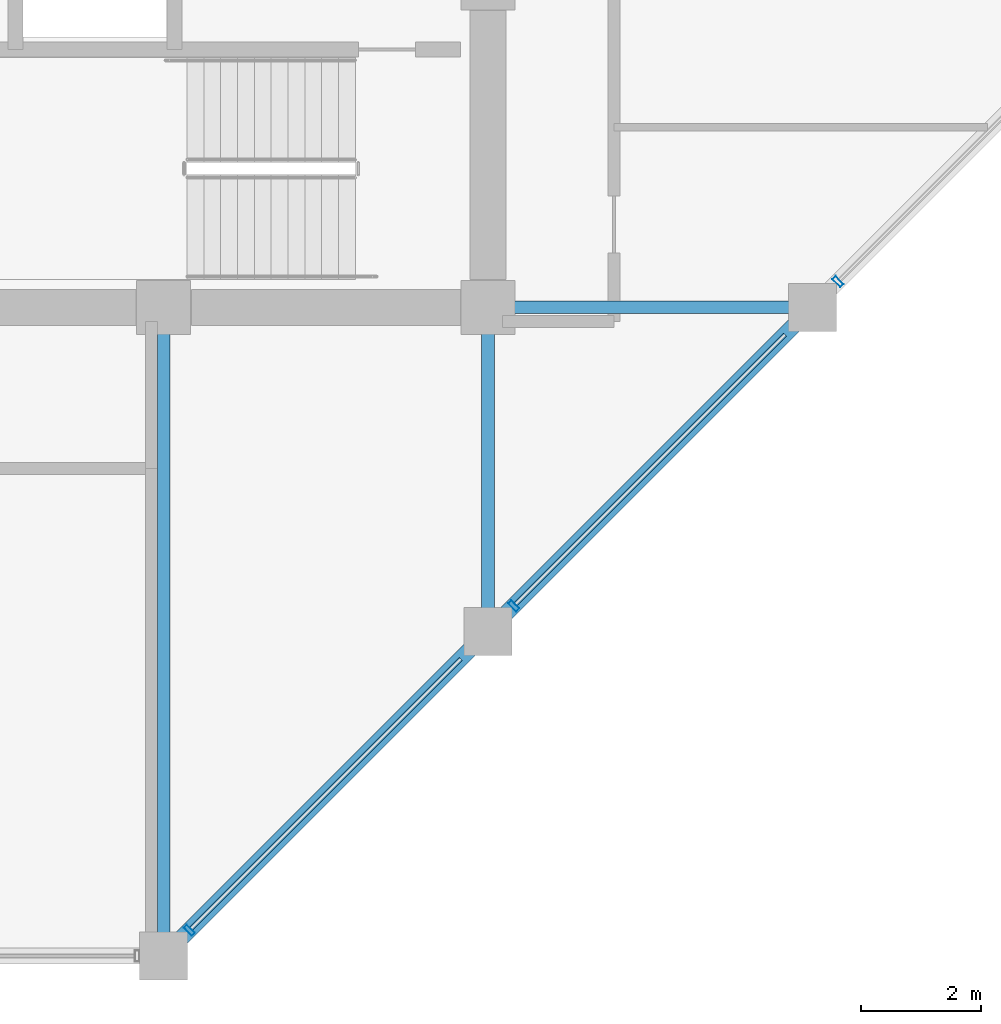
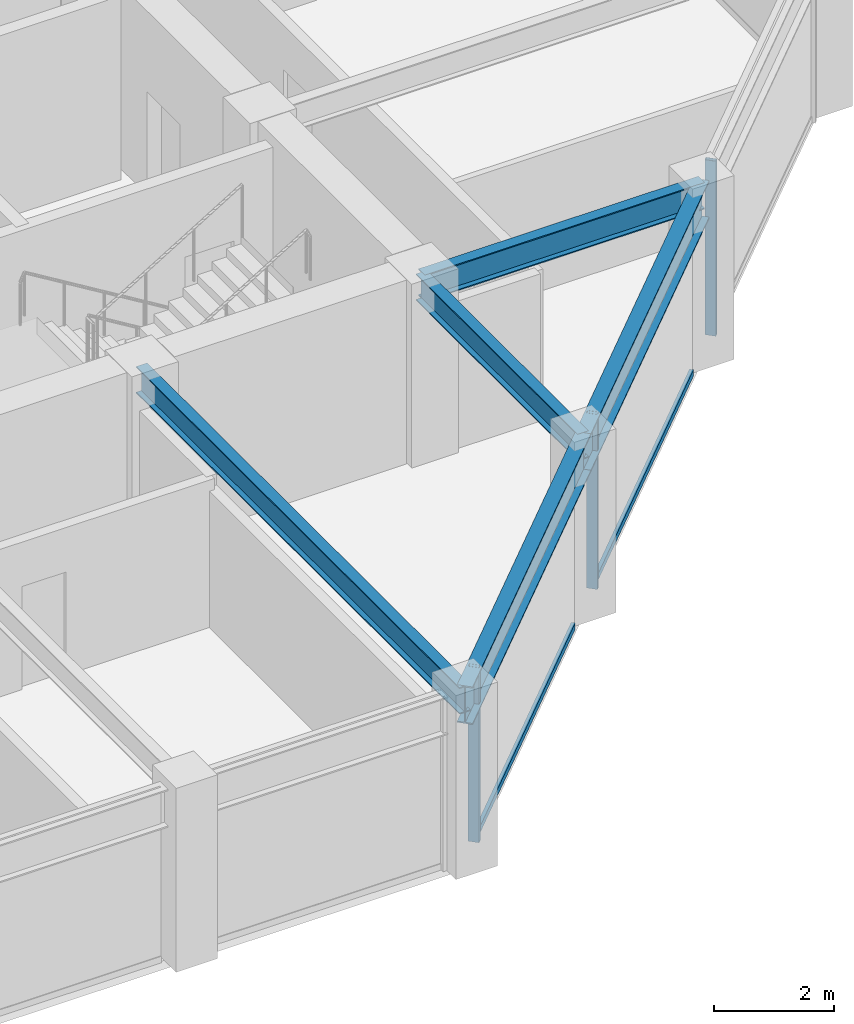
# One storey, part 12 of 32: 5 beams, 5 members, 1 element without a shape of its own.
"""IFC4 building model written with IfcOpenShell, lengths in metres."""

from ifc_helpers import new_model, si_unit, direction, frame, origin, origin_2d, place, context, subcontext, project, spatial, hollow_rectangle, i_section, extrude, material, layer, layer_set, material_profile, profile_set, type_object, element, aggregate, save


model = new_model("IFC4")

# Units and contexts
model_context = context("Model", 3, precision=1e-05, world=origin(), true_north=direction((0.0, 1.0)))
body_context = subcontext(model_context, "Body", "Model", "MODEL_VIEW")
ifc_project = project(units=[si_unit("LENGTHUNIT", "METRE"), si_unit("AREAUNIT", "SQUARE_METRE"), si_unit("VOLUMEUNIT", "CUBIC_METRE"), si_unit("PLANEANGLEUNIT", "RADIAN"), si_unit("MASSUNIT", "GRAM", prefix="KILO")], contexts=[model_context])

# Site, building, storey
site_placement = place(None, origin())
site = spatial("IfcSite", under=ifc_project, at=site_placement, CompositionType="ELEMENT")
building_placement = place(site_placement, origin())
building = spatial("IfcBuilding", under=site, at=building_placement, Name="Surkhivell Harbour Commons", CompositionType="ELEMENT")
storey_placement = place(building_placement, frame((0.0, 0.0, 216.0)))
storey = spatial("IfcBuildingStorey", under=building, at=storey_placement, Name="L56", CompositionType="ELEMENT", Elevation=216.0)

# Beams
ifc_material_1 = material(Name="Steel S355", Category="steel")
ifc_material_profile_1 = material_profile(ifc_material_1, i_section(OverallWidth=0.2119140625, OverallDepth=0.5439453125, WebThickness=0.0126953125, FlangeThickness=0.021240234375, at=origin_2d()), Name="UB533x210x122")
ifc_profile_set_1 = profile_set([ifc_material_profile_1], Name="Steel S355")
beam_type_1 = type_object("IfcBeamType", Name="BM-GRD-533A", PredefinedType="BEAM", material=ifc_profile_set_1)
beam_1_placement = place(storey_placement, frame((5.39990234375, -21.60009765625, 3.298095703125), z_axis=(0.0, 1.0, 0.0), x_axis=(-1.0, 0.0, 0.0)))
element("IfcBeam", 1, at=beam_1_placement, inside=storey, type_object=beam_type_1, Name="L56 Floor Girder (5.4,-21.6)", PredefinedType="BEAM", context=body_context, shape_type="SweptSolid", body=[
    extrude(i_section(OverallWidth=0.2119140625, OverallDepth=0.5439453125, WebThickness=0.0126953125, FlangeThickness=0.021240234375, at=origin_2d()), origin(), (0.0, 0.0, 1.0), 10.800048828125),
])
for number, where, z_axis, x_axis, name in (
    (2, (10.800048828125, -16.199951171875, 3.298095703125), (0.0, 1.0, 0.0), (-1.0, 0.0, 0.0), "L56 Floor Girder (10.8,-16.2)"),
    (3, (10.800048828125, -10.800048828125, 3.298095703125), (1.0, 0.0, 0.0), (0.0, 1.0, 0.0), "L56 Floor Girder (10.8,-10.8)"),
):
    element("IfcBeam", number, at=place(storey_placement, frame(where, z_axis=z_axis, x_axis=x_axis)), inside=storey, type_object=beam_type_1, Name=name, PredefinedType="BEAM", context=body_context, shape_type="SweptSolid", body=[
        extrude(i_section(OverallWidth=0.2119140625, OverallDepth=0.5439453125, WebThickness=0.0126953125, FlangeThickness=0.021240234375, at=origin_2d()), origin(), (0.0, 0.0, 1.0), 5.39990234375),
    ])
ifc_material_profile_2 = material_profile(ifc_material_1, i_section(OverallWidth=0.26806640625, OverallDepth=0.77001953125, WebThickness=0.015625, FlangeThickness=0.025390625, at=origin_2d()), Name="UB762x267x197")
ifc_profile_set_2 = profile_set([ifc_material_profile_2], Name="Steel S355")
beam_type_2 = type_object("IfcBeamType", Name="BM-SPN-762", PredefinedType="SPANDREL", material=ifc_profile_set_2)
beam_2_placement = place(storey_placement, frame((5.39990234375, -21.60009765625, 3.18505859375), z_axis=(0.707106781187, 0.707106781187, 0.0), x_axis=(-0.707106781187, 0.707106781187, 0.0)))
element("IfcBeam", 4, at=beam_2_placement, inside=storey, type_object=beam_type_2, Name="L56 Tube Spandrel (5.4,-21.6)", PredefinedType="SPANDREL", context=body_context, shape_type="SweptSolid", body=[
    extrude(i_section(OverallWidth=0.26806640625, OverallDepth=0.77001953125, WebThickness=0.015625, FlangeThickness=0.025390625, at=origin_2d()), origin(), (0.0, 0.0, 1.0), 7.636962890625),
])
beam_3_placement = place(storey_placement, frame((10.800048828125, -16.199951171875, 3.18505859375), z_axis=(0.707106781187, 0.707106781187, 0.0), x_axis=(-0.707106781187, 0.707106781187, 0.0)))
element("IfcBeam", 5, at=beam_3_placement, inside=storey, type_object=beam_type_2, Name="L56 Tube Spandrel (10.8,-16.2)", PredefinedType="SPANDREL", context=body_context, shape_type="SweptSolid", body=[
    extrude(i_section(OverallWidth=0.26806640625, OverallDepth=0.77001953125, WebThickness=0.015625, FlangeThickness=0.025390625, at=origin_2d()), origin(), (0.0, 0.0, 1.0), 7.63671875),
])

# Curtain wall, members
ifc_material_2 = material(Name="Anodised pale-metal aluminium and insulated glazing", Category="aluminium")
ifc_layer = layer(ifc_material_2, 0.18994140625)
ifc_layer_set = layer_set([ifc_layer], Name="Anodised pale-metal aluminium and insulated glazing")
curtain_wall_type = type_object("IfcCurtainWallType", Name="CW-SYS-Z3", PredefinedType="NOTDEFINED", material=ifc_layer_set)
curtain_wall_placement = place(storey_placement, origin())
curtain_wall = element("IfcCurtainWall", 6, at=curtain_wall_placement, inside=storey, type_object=curtain_wall_type, Name="L56 Curtain Wall CW-L56-E01", PredefinedType="NOTDEFINED")
ifc_material_3 = material(Name="Anodised pale-metal aluminium alloy 6063-T6", Category="aluminium")
ifc_material_profile_3 = material_profile(ifc_material_3, hollow_rectangle(XDim=0.074951171875, YDim=0.18994140625, WallThickness=0.00390625, at=origin_2d()), Name="ALU-MULL-75x190")
ifc_profile_set_3 = profile_set([ifc_material_profile_3], Name="Anodised pale-metal aluminium alloy 6063-T6")
member_type_1 = type_object("IfcMemberType", Name="CWM-190", PredefinedType="MULLION", material=ifc_profile_set_3)
member_1_placement = place(storey_placement, frame((5.828125, -21.171875, 0.0), z_axis=(0.0, 0.0, 1.0), x_axis=(0.707106781187, 0.707106781187, 0.0)))
member_1 = element("IfcMember", 7, at=member_1_placement, type_object=member_type_1, Name="CW-Z3 mullion 1", PredefinedType="MULLION", context=body_context, shape_type="SweptSolid", body=[
    extrude(hollow_rectangle(XDim=0.074951171875, YDim=0.18994140625, WallThickness=0.00390625, at=origin_2d()), origin(), (0.0, 0.0, 1.0), 3.570068359375),
])
member_2_placement = place(storey_placement, frame((11.228271484375, -15.771728515625, 0.0), z_axis=(0.0, 0.0, 1.0), x_axis=(0.707106781187, 0.707106781187, 0.0)))
member_2 = element("IfcMember", 8, at=member_2_placement, type_object=member_type_1, Name="CW-Z3 mullion 2", PredefinedType="MULLION", context=body_context, shape_type="SweptSolid", body=[
    extrude(hollow_rectangle(XDim=0.074951171875, YDim=0.18994140625, WallThickness=0.00390625, at=origin_2d()), origin(), (0.0, 0.0, 1.0), 3.570068359375),
])
member_3_placement = place(storey_placement, frame((16.628173828125, -10.371826171875, 0.0), z_axis=(0.0, 0.0, 1.0), x_axis=(0.707106781187, 0.707106781187, 0.0)))
member_3 = element("IfcMember", 9, at=member_3_placement, type_object=member_type_1, Name="CW-Z3 mullion 3", PredefinedType="MULLION", context=body_context, shape_type="SweptSolid", body=[
    extrude(hollow_rectangle(XDim=0.074951171875, YDim=0.18994140625, WallThickness=0.00390625, at=origin_2d()), origin(), (0.0, 0.0, 1.0), 3.570068359375),
])
ifc_material_4 = material(Name="Champagne anodised aluminium alloy 6063-T6", Category="aluminium")
ifc_material_profile_4 = material_profile(ifc_material_4, hollow_rectangle(XDim=0.070068359375, YDim=0.1298828125, WallThickness=0.00341796875, at=origin_2d()), Name="ALU-TRAN-70x130")
ifc_profile_set_4 = profile_set([ifc_material_profile_4], Name="Champagne anodised aluminium alloy 6063-T6")
member_type_2 = type_object("IfcMemberType", Name="CWT-130", PredefinedType="USERDEFINED", material=ifc_profile_set_4)
member_4_placement = place(storey_placement, frame((5.854736328125, -21.145263671875, 0.06494140625), z_axis=(0.707106781187, 0.707106781187, 0.0), x_axis=(-0.707106781187, 0.707106781187, 0.0)))
member_4 = element("IfcMember", 10, at=member_4_placement, type_object=member_type_2, Name="CW-Z3 transom 1.1", ObjectType="TRANSOM", PredefinedType="USERDEFINED", context=body_context, shape_type="SweptSolid", body=[
    extrude(hollow_rectangle(XDim=0.070068359375, YDim=0.1298828125, WallThickness=0.00341796875, at=origin_2d()), origin(), (0.0, 0.0, 1.0), 6.3505859375),
])
member_5_placement = place(storey_placement, frame((11.254638671875, -15.745361328125, 0.06494140625), z_axis=(0.707106781187, 0.707106781187, 0.0), x_axis=(-0.707106781187, 0.707106781187, 0.0)))
member_5 = element("IfcMember", 11, at=member_5_placement, type_object=member_type_2, Name="CW-Z3 transom 2.1", ObjectType="TRANSOM", PredefinedType="USERDEFINED", context=body_context, shape_type="SweptSolid", body=[
    extrude(hollow_rectangle(XDim=0.070068359375, YDim=0.1298828125, WallThickness=0.00341796875, at=origin_2d()), origin(), (0.0, 0.0, 1.0), 6.350830078125),
])
aggregate(curtain_wall, [member_1, member_4, member_2, member_5, member_3])

save(model, "model.ifc")
